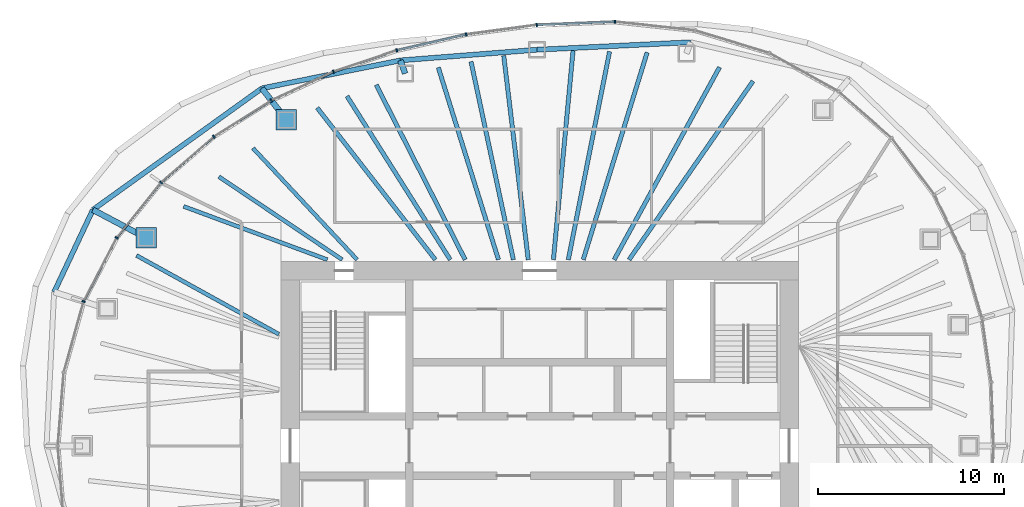
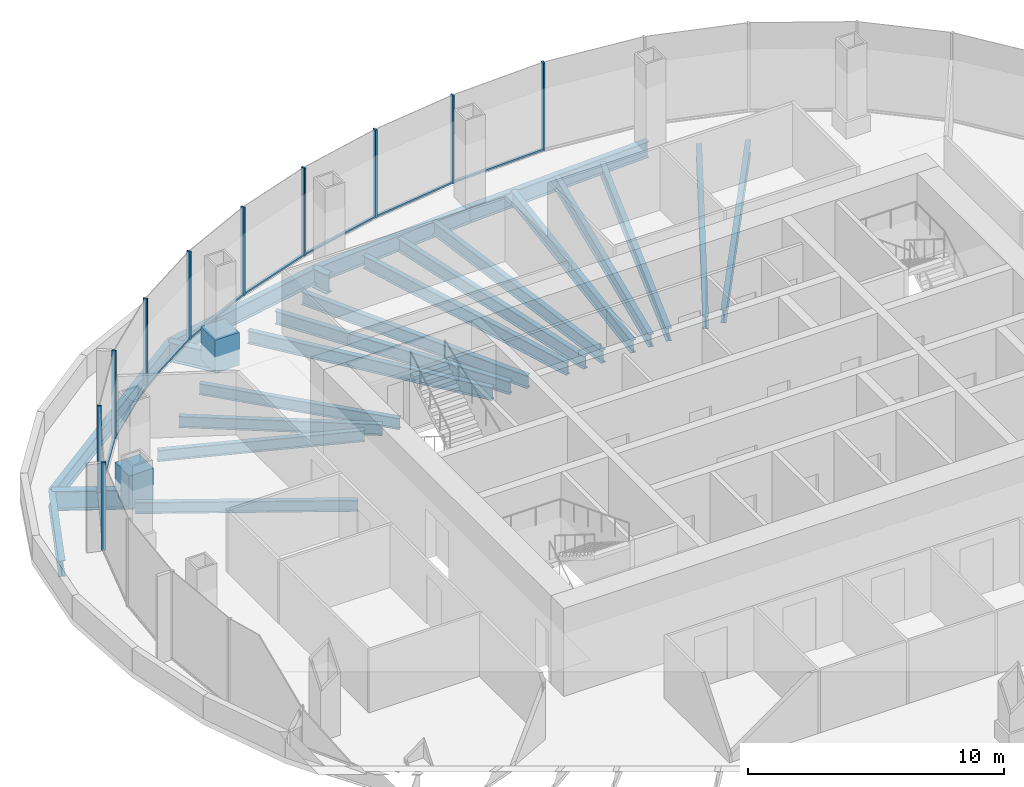
# One storey, part 6 of 13: 23 beams, 21 members, 6 elements without a shape of their own.
"""IFC4 building model written with IfcOpenShell, lengths in metres."""

from ifc_helpers import new_model, si_unit, direction, frame, origin, origin_2d, place, context, subcontext, project, spatial, rectangle, hollow_rectangle, i_section, extrude, boolean, material, material_profile, profile_set, type_object, element, aggregate, save


model = new_model("IFC4")

# Units and contexts
model_context = context("Model", 3, precision=1e-05, world=origin(), true_north=direction((0.0, 1.0)))
body_context = subcontext(model_context, "Body", "Model", "MODEL_VIEW")
ifc_project = project(units=[si_unit("LENGTHUNIT", "METRE"), si_unit("AREAUNIT", "SQUARE_METRE"), si_unit("VOLUMEUNIT", "CUBIC_METRE"), si_unit("PLANEANGLEUNIT", "RADIAN"), si_unit("MASSUNIT", "GRAM", prefix="KILO")], contexts=[model_context])

# Site, building, storey
site_placement = place(None, origin())
site = spatial("IfcSite", under=ifc_project, at=site_placement, CompositionType="ELEMENT")
building_placement = place(site_placement, origin())
building = spatial("IfcBuilding", under=site, at=building_placement, Name="Ghaith Harvest Tower", CompositionType="ELEMENT")
storey_placement = place(building_placement, frame((0.0, 0.0, 271.199951171875)))
storey = spatial("IfcBuildingStorey", under=building, at=storey_placement, Name="L60", CompositionType="ELEMENT", Elevation=271.199951171875)

# Curtain wall, member
ifc_material_1 = material(Name="Black anodised aluminium and fritted glass", Category="aluminium")
curtain_wall_type = type_object("IfcCurtainWallType", Name="CW-T CURTAIN WALL", PredefinedType="NOTDEFINED", material=ifc_material_1)
curtain_wall_1_placement = place(storey_placement, origin())
curtain_wall_1 = element("IfcCurtainWall", 1, at=curtain_wall_1_placement, inside=storey, type_object=curtain_wall_type, Name="Curtain wall CW-T bay 05 L60", PredefinedType="NOTDEFINED")
ifc_material_2 = material(Name="Aluminium, black anodised", Category="aluminium")
ifc_material_profile_1 = material_profile(ifc_material_2, rectangle(XDim=0.080078125, YDim=0.179931640625, at=origin_2d()), Name="CW-T MULLION 80x180")
ifc_profile_set_1 = profile_set([ifc_material_profile_1], Name="Aluminium, black anodised")
member_type_1 = type_object("IfcMemberType", Name="CW-T MULLION 80x180", PredefinedType="MULLION", material=ifc_profile_set_1)
member_1_placement = place(storey_placement, frame((4.037841796875, 22.776611328125, 0.0), z_axis=(0.0, 0.0, 1.0), x_axis=(-0.999388631236, 0.034962319079, 0.0)))
member_1 = element("IfcMember", 2, at=member_1_placement, type_object=member_type_1, Name="CW-T mullion 2 bay 05 L60", PredefinedType="MULLION", context=body_context, shape_type="SweptSolid", body=[
    extrude(rectangle(XDim=0.080078125, YDim=0.179931640625, at=origin_2d()), origin(), (0.0, 0.0, 1.0), 4.199951171875),
])

# Curtain wall, members
curtain_wall_2_placement = place(storey_placement, origin())
curtain_wall_2 = element("IfcCurtainWall", 3, at=curtain_wall_2_placement, inside=storey, type_object=curtain_wall_type, Name="Curtain wall CW-T bay 06 L60", PredefinedType="NOTDEFINED")
member_2_placement = place(storey_placement, frame((-0.15478515625, 22.60595703125, 0.0), z_axis=(0.0, 0.0, 1.0), x_axis=(-0.996414855482, -0.084601629853, 0.0)))
member_2 = element("IfcMember", 4, at=member_2_placement, type_object=member_type_1, Name="CW-T mullion 1 bay 06 L60", PredefinedType="MULLION", context=body_context, shape_type="SweptSolid", body=[
    extrude(rectangle(XDim=0.080078125, YDim=0.179931640625, at=origin_2d()), origin(), (0.0, 0.0, 1.0), 4.199951171875),
])
member_3_placement = place(storey_placement, frame((-3.946533203125, 22.0986328125, 0.0), z_axis=(0.0, 0.0, 1.0), x_axis=(-0.983843447681, -0.179030920389, 0.0)))
member_3 = element("IfcMember", 5, at=member_3_placement, type_object=member_type_1, Name="CW-T mullion 2 bay 06 L60", PredefinedType="MULLION", context=body_context, shape_type="SweptSolid", body=[
    extrude(rectangle(XDim=0.080078125, YDim=0.179931640625, at=origin_2d()), origin(), (0.0, 0.0, 1.0), 4.199951171875),
])

curtain_wall_3_placement = place(storey_placement, origin())
curtain_wall_3 = element("IfcCurtainWall", 6, at=curtain_wall_3_placement, inside=storey, type_object=curtain_wall_type, Name="Curtain wall CW-T bay 07 L60", PredefinedType="NOTDEFINED")
member_4_placement = place(storey_placement, frame((-7.6708984375, 21.23828125, 0.0), z_axis=(0.0, 0.0, 1.0), x_axis=(-0.962552491436, -0.27109537294, 0.0)))
member_4 = element("IfcMember", 7, at=member_4_placement, type_object=member_type_1, Name="CW-T mullion 1 bay 07 L60", PredefinedType="MULLION", context=body_context, shape_type="SweptSolid", body=[
    extrude(rectangle(XDim=0.080078125, YDim=0.179931640625, at=origin_2d()), origin(), (0.0, 0.0, 1.0), 4.199951171875),
])
member_5_placement = place(storey_placement, frame((-11.0673828125, 20.093017578125, 0.0), z_axis=(0.0, 0.0, 1.0), x_axis=(-0.928624420706, -0.371021138573, 0.0)))
member_5 = element("IfcMember", 8, at=member_5_placement, type_object=member_type_1, Name="CW-T mullion 2 bay 07 L60", PredefinedType="MULLION", context=body_context, shape_type="SweptSolid", body=[
    extrude(rectangle(XDim=0.080078125, YDim=0.179931640625, at=origin_2d()), origin(), (0.0, 0.0, 1.0), 4.199951171875),
])

curtain_wall_4_placement = place(storey_placement, origin())
curtain_wall_4 = element("IfcCurtainWall", 9, at=curtain_wall_4_placement, inside=storey, type_object=curtain_wall_type, Name="Curtain wall CW-T bay 08 L60", PredefinedType="NOTDEFINED")
member_6_placement = place(storey_placement, frame((-14.40478515625, 18.5478515625, 0.0), z_axis=(0.0, 0.0, 1.0), x_axis=(-0.87867173244, -0.477426420101, 0.0)))
member_6 = element("IfcMember", 10, at=member_6_placement, type_object=member_type_1, Name="CW-T mullion 1 bay 08 L60", PredefinedType="MULLION", context=body_context, shape_type="SweptSolid", body=[
    extrude(rectangle(XDim=0.080078125, YDim=0.179931640625, at=origin_2d()), origin(), (0.0, 0.0, 1.0), 4.199951171875),
])
member_7_placement = place(storey_placement, frame((-17.49462890625, 16.600830078125, 0.0), z_axis=(0.0, 0.0, 1.0), x_axis=(-0.802189888678, -0.597068993084, 0.0)))
member_7 = element("IfcMember", 11, at=member_7_placement, type_object=member_type_1, Name="CW-T mullion 2 bay 08 L60", PredefinedType="MULLION", context=body_context, shape_type="SweptSolid", body=[
    extrude(rectangle(XDim=0.080078125, YDim=0.179931640625, at=origin_2d()), origin(), (0.0, 0.0, 1.0), 4.199951171875),
])

curtain_wall_5_placement = place(storey_placement, origin())
curtain_wall_5 = element("IfcCurtainWall", 12, at=curtain_wall_5_placement, inside=storey, type_object=curtain_wall_type, Name="Curtain wall CW-T bay 09 L60", PredefinedType="NOTDEFINED")
member_8_placement = place(storey_placement, frame((-20.324462890625, 14.141845703125, 0.0), z_axis=(0.0, 0.0, 1.0), x_axis=(-0.692826491995, -0.72110432809, 0.0)))
member_8 = element("IfcMember", 13, at=member_8_placement, type_object=member_type_1, Name="CW-T mullion 1 bay 09 L60", PredefinedType="MULLION", context=body_context, shape_type="SweptSolid", body=[
    extrude(rectangle(XDim=0.080078125, YDim=0.179931640625, at=origin_2d()), origin(), (0.0, 0.0, 1.0), 4.199951171875),
])
member_9_placement = place(storey_placement, frame((-22.706298828125, 11.176513671875, 0.0), z_axis=(0.0, 0.0, 1.0), x_axis=(-0.545865412621, -0.837872872997, 0.0)))
member_9 = element("IfcMember", 14, at=member_9_placement, type_object=member_type_1, Name="CW-T mullion 2 bay 09 L60", PredefinedType="MULLION", context=body_context, shape_type="SweptSolid", body=[
    extrude(rectangle(XDim=0.080078125, YDim=0.179931640625, at=origin_2d()), origin(), (0.0, 0.0, 1.0), 4.199951171875),
])

# Curtain wall, member
curtain_wall_6_placement = place(storey_placement, origin())
curtain_wall_6 = element("IfcCurtainWall", 15, at=curtain_wall_6_placement, inside=storey, type_object=curtain_wall_type, Name="Curtain wall CW-T bay 10 L60", PredefinedType="NOTDEFINED")
member_10_placement = place(storey_placement, frame((-24.482666015625, 7.759033203125, 0.0), z_axis=(0.0, 0.0, 1.0), x_axis=(-0.366473104961, -0.930428644948, 0.0)))
member_10 = element("IfcMember", 16, at=member_10_placement, type_object=member_type_1, Name="CW-T mullion 1 bay 10 L60", PredefinedType="MULLION", context=body_context, shape_type="SweptSolid", body=[
    extrude(rectangle(XDim=0.080078125, YDim=0.179931640625, at=origin_2d()), origin(), (0.0, 0.0, 1.0), 4.199951171875),
])
aggregate(curtain_wall_6, [member_10])

# Member
ifc_material_3 = material(Name="Aluminium, black anodised", Category="aluminium")
ifc_material_profile_2 = material_profile(ifc_material_3, rectangle(XDim=0.1201171875, YDim=0.080078125, at=origin_2d()), Name="CW-T TRANSOM 120x80")
ifc_profile_set_2 = profile_set([ifc_material_profile_2], Name="Aluminium, black anodised")
member_type_2 = type_object("IfcMemberType", Name="CW-T TRANSOM 120x80", PredefinedType="USERDEFINED", material=ifc_profile_set_2)
member_11_placement = place(storey_placement, frame((3.997802734375, 22.77490234375, 0.0400390625), z_axis=(-0.999174207562, -0.040631304968, 0.0), x_axis=(0.040631304968, -0.999174207562, 0.0)))
member_11 = element("IfcMember", 17, at=member_11_placement, type_object=member_type_2, Name="CW-T transom 2 bay 05 L60", ObjectType="TRANSOM", PredefinedType="USERDEFINED", context=body_context, shape_type="SweptSolid", body=[
    extrude(rectangle(XDim=0.1201171875, YDim=0.080078125, at=origin_2d()), origin(), (0.0, 0.0, 1.0), 4.115966796875),
])

aggregate(curtain_wall_1, [member_1, member_11])

member_12_placement = place(storey_placement, frame((-0.1943359375, 22.6005859375, 0.0400390625), z_axis=(-0.99117202259, -0.132582131655, 0.0), x_axis=(0.132582131655, -0.99117202259, 0.0)))
member_12 = element("IfcMember", 18, at=member_12_placement, type_object=member_type_2, Name="CW-T transom 1 bay 06 L60", ObjectType="TRANSOM", PredefinedType="USERDEFINED", context=body_context, shape_type="SweptSolid", body=[
    extrude(rectangle(XDim=0.1201171875, YDim=0.080078125, at=origin_2d()), origin(), (0.0, 0.0, 1.0), 3.745361328125),
])

member_13_placement = place(storey_placement, frame((-3.9853515625, 22.089599609375, 0.0400390625), z_axis=(-0.974344997799, -0.225059603803, 0.0), x_axis=(0.225059603803, -0.974344997799, 0.0)))
member_13 = element("IfcMember", 19, at=member_13_placement, type_object=member_type_2, Name="CW-T transom 2 bay 06 L60", ObjectType="TRANSOM", PredefinedType="USERDEFINED", context=body_context, shape_type="SweptSolid", body=[
    extrude(rectangle(XDim=0.1201171875, YDim=0.080078125, at=origin_2d()), origin(), (0.0, 0.0, 1.0), 3.742431640625),
])

aggregate(curtain_wall_2, [member_2, member_12, member_3, member_13])

member_14_placement = place(storey_placement, frame((-7.708740234375, 21.2255859375, 0.0400390625), z_axis=(-0.9475698206, -0.319548799228, 0.0), x_axis=(0.319548799228, -0.9475698206, 0.0)))
member_14 = element("IfcMember", 20, at=member_14_placement, type_object=member_type_2, Name="CW-T transom 1 bay 07 L60", ObjectType="TRANSOM", PredefinedType="USERDEFINED", context=body_context, shape_type="SweptSolid", body=[
    extrude(rectangle(XDim=0.1201171875, YDim=0.080078125, at=origin_2d()), origin(), (0.0, 0.0, 1.0), 3.504638671875),
])

member_15_placement = place(storey_placement, frame((-11.103759765625, 20.076171875, 0.0400390625), z_axis=(-0.907472177056, -0.420112184862, 0.0), x_axis=(0.420112184862, -0.907472177056, 0.0)))
member_15 = element("IfcMember", 21, at=member_15_placement, type_object=member_type_2, Name="CW-T transom 2 bay 07 L60", ObjectType="TRANSOM", PredefinedType="USERDEFINED", context=body_context, shape_type="SweptSolid", body=[
    extrude(rectangle(XDim=0.1201171875, YDim=0.080078125, at=origin_2d()), origin(), (0.0, 0.0, 1.0), 3.597900390625),
])

aggregate(curtain_wall_3, [member_4, member_14, member_5, member_15])

member_16_placement = place(storey_placement, frame((-14.438720703125, 18.5263671875, 0.0400390625), z_axis=(-0.846053602505, -0.533097835006, 0.0), x_axis=(0.533097835006, -0.846053602505, 0.0)))
member_16 = element("IfcMember", 22, at=member_16_placement, type_object=member_type_2, Name="CW-T transom 1 bay 08 L60", ObjectType="TRANSOM", PredefinedType="USERDEFINED", context=body_context, shape_type="SweptSolid", body=[
    extrude(rectangle(XDim=0.1201171875, YDim=0.080078125, at=origin_2d()), origin(), (0.0, 0.0, 1.0), 3.572021484375),
])

member_17_placement = place(storey_placement, frame((-17.52490234375, 16.574462890625, 0.0400390625), z_axis=(-0.754851889287, -0.65589528527, 0.0), x_axis=(0.65589528527, -0.754851889287, 0.0)))
member_17 = element("IfcMember", 23, at=member_17_placement, type_object=member_type_2, Name="CW-T transom 2 bay 08 L60", ObjectType="TRANSOM", PredefinedType="USERDEFINED", context=body_context, shape_type="SweptSolid", body=[
    extrude(rectangle(XDim=0.1201171875, YDim=0.080078125, at=origin_2d()), origin(), (0.0, 0.0, 1.0), 3.668701171875),
])

aggregate(curtain_wall_4, [member_6, member_16, member_7, member_17])

member_18_placement = place(storey_placement, frame((-20.349365234375, 14.110595703125, 0.0400390625), z_axis=(-0.626253073761, -0.779619835307, 0.0), x_axis=(0.779619835307, -0.626253073761, 0.0)))
member_18 = element("IfcMember", 24, at=member_18_placement, type_object=member_type_2, Name="CW-T transom 1 bay 09 L60", ObjectType="TRANSOM", PredefinedType="USERDEFINED", context=body_context, shape_type="SweptSolid", body=[
    extrude(rectangle(XDim=0.1201171875, YDim=0.080078125, at=origin_2d()), origin(), (0.0, 0.0, 1.0), 3.723388671875),
])

member_19_placement = place(storey_placement, frame((-22.724609375, 11.14111328125, 0.0400390625), z_axis=(-0.461242681347, -0.887274021317, 0.0), x_axis=(0.887274021317, -0.461242681347, 0.0)))
member_19 = element("IfcMember", 25, at=member_19_placement, type_object=member_type_2, Name="CW-T transom 2 bay 09 L60", ObjectType="TRANSOM", PredefinedType="USERDEFINED", context=body_context, shape_type="SweptSolid", body=[
    extrude(rectangle(XDim=0.1201171875, YDim=0.080078125, at=origin_2d()), origin(), (0.0, 0.0, 1.0), 3.77197265625),
])

aggregate(curtain_wall_5, [member_8, member_18, member_9, member_19])

# Beams
ifc_material_4 = material(Name="Steel ASTM A992 Grade 50", Category="steel")
ifc_material_profile_3 = material_profile(ifc_material_4, i_section(OverallWidth=0.26611328125, OverallDepth=0.758056640625, WebThickness=0.013916015625, FlangeThickness=0.019287109375, at=origin_2d()), Name="W760X161")
ifc_profile_set_3 = profile_set([ifc_material_profile_3], Name="Steel ASTM A992 Grade 50")
beam_type_1 = type_object("IfcBeamType", Name="E760-161 W760X161", PredefinedType="SPANDREL", material=ifc_profile_set_3)
beam_1_placement = place(storey_placement, frame((8.10205078125, 21.672607421875, -0.654052734375), z_axis=(-0.998816523619, -0.048636942199, 0.0), x_axis=(0.048636942199, -0.998816523619, 0.0)))
element("IfcBeam", 26, at=beam_1_placement, inside=storey, type_object=beam_type_1, Name="Setback edge beam E05 L60", PredefinedType="SPANDREL", context=body_context, shape_type="SweptSolid", body=[
    extrude(i_section(OverallWidth=0.26611328125, OverallDepth=0.758056640625, WebThickness=0.013916015625, FlangeThickness=0.019287109375, at=origin_2d()), origin(), (0.0, 0.0, 1.0), 8.25732421875),
])
beam_2_placement = place(storey_placement, frame((-0.1455078125, 21.27099609375, -0.654052734375), z_axis=(-0.996971882721, -0.077762877151, 0.0), x_axis=(0.077762877151, -0.996971882721, 0.0)))
element("IfcBeam", 27, at=beam_2_placement, inside=storey, type_object=beam_type_1, Name="Setback edge beam E06 L60", PredefinedType="SPANDREL", context=body_context, shape_type="SweptSolid", body=[
    extrude(i_section(OverallWidth=0.26611328125, OverallDepth=0.758056640625, WebThickness=0.013916015625, FlangeThickness=0.019287109375, at=origin_2d()), origin(), (0.0, 0.0, 1.0), 7.352783203125),
])
beam_3_placement = place(storey_placement, frame((-7.47607421875, 20.69921875, -0.654052734375), z_axis=(-0.980269959557, -0.197663366332, 0.0), x_axis=(0.197663366332, -0.980269959557, 0.0)))
element("IfcBeam", 28, at=beam_3_placement, inside=storey, type_object=beam_type_1, Name="Setback edge beam E07 L60", PredefinedType="SPANDREL", context=body_context, shape_type="SweptSolid", body=[
    extrude(i_section(OverallWidth=0.26611328125, OverallDepth=0.758056640625, WebThickness=0.013916015625, FlangeThickness=0.019287109375, at=origin_2d()), origin(), (0.0, 0.0, 1.0), 7.5849609375),
])
beam_4_placement = place(storey_placement, frame((-14.911376953125, 19.199951171875, -0.654052734375), z_axis=(-0.812030902111, -0.58361443952, 0.0), x_axis=(0.58361443952, -0.812030902111, 0.0)))
element("IfcBeam", 29, at=beam_4_placement, inside=storey, type_object=beam_type_1, Name="Setback edge beam E08 L60", PredefinedType="SPANDREL", context=body_context, shape_type="SweptSolid", body=[
    extrude(i_section(OverallWidth=0.26611328125, OverallDepth=0.758056640625, WebThickness=0.013916015625, FlangeThickness=0.019287109375, at=origin_2d()), origin(), (0.0, 0.0, 1.0), 11.1748046875),
])
beam_5_placement = place(storey_placement, frame((-23.985595703125, 12.67822265625, -0.654052734375), z_axis=(-0.426333909929, -0.904565861198, 0.0), x_axis=(0.904565861198, -0.426333909929, 0.0)))
element("IfcBeam", 30, at=beam_5_placement, inside=storey, type_object=beam_type_1, Name="Setback edge beam E09 L60", PredefinedType="SPANDREL", context=body_context, shape_type="SweptSolid", body=[
    extrude(i_section(OverallWidth=0.26611328125, OverallDepth=0.758056640625, WebThickness=0.013916015625, FlangeThickness=0.019287109375, at=origin_2d()), origin(), (0.0, 0.0, 1.0), 4.883056640625),
])
ifc_material_5 = material(Name="Steel ASTM A992 Grade 50", Category="steel")
ifc_material_profile_4 = material_profile(ifc_material_5, i_section(OverallWidth=0.31005859375, OverallDepth=0.927001953125, WebThickness=0.019287109375, FlangeThickness=0.031982421875, at=origin_2d()), Name="W920X289")
ifc_profile_set_4 = profile_set([ifc_material_profile_4], Name="Steel ASTM A992 Grade 50")
beam_type_2 = type_object("IfcBeamType", Name="G920-289 W920X289", PredefinedType="BEAM", material=ifc_profile_set_4)
beam_6_placement = place(storey_placement, frame((-7.221923828125, 19.9970703125, -0.738525390625), z_axis=(-0.340351375823, 0.94029832552, 0.0), x_axis=(-0.94029832552, -0.340351375823, 0.0)))
element("IfcBeam", 31, at=beam_6_placement, inside=storey, type_object=beam_type_2, Name="Setback cantilever G07 L60", PredefinedType="BEAM", context=body_context, shape_type="SweptSolid", body=[
    extrude(i_section(OverallWidth=0.31005859375, OverallDepth=0.927001953125, WebThickness=0.019287109375, FlangeThickness=0.031982421875, at=origin_2d()), origin(), (0.0, 0.0, 1.0), 0.746826171875),
])
beam_7_placement = place(storey_placement, frame((-13.594970703125, 17.5048828125, -0.738525390625), z_axis=(-0.613365551734, 0.789799151649, 0.0), x_axis=(-0.789799151649, -0.613365551734, 0.0)))
element("IfcBeam", 32, at=beam_7_placement, inside=storey, type_object=beam_type_2, Name="Setback cantilever G08 L60", PredefinedType="BEAM", context=body_context, shape_type="SweptSolid", body=[
    extrude(i_section(OverallWidth=0.31005859375, OverallDepth=0.927001953125, WebThickness=0.019287109375, FlangeThickness=0.031982421875, at=origin_2d()), origin(), (0.0, 0.0, 1.0), 2.146240234375),
])
beam_8_placement = place(storey_placement, frame((-21.125, 11.166015625, -0.738525390625), z_axis=(-0.884072227796, 0.467350292649, 0.0), x_axis=(-0.467350292649, -0.884072227796, 0.0)))
element("IfcBeam", 33, at=beam_8_placement, inside=storey, type_object=beam_type_2, Name="Setback cantilever G09 L60", PredefinedType="BEAM", context=body_context, shape_type="SweptSolid", body=[
    extrude(i_section(OverallWidth=0.31005859375, OverallDepth=0.927001953125, WebThickness=0.019287109375, FlangeThickness=0.031982421875, at=origin_2d()), origin(), (0.0, 0.0, 1.0), 3.235595703125),
])
ifc_material_6 = material(Name="Steel ASTM A992 Grade 50", Category="steel")
ifc_material_profile_5 = material_profile(ifc_material_6, i_section(OverallWidth=0.2109375, OverallDepth=0.5390625, WebThickness=0.01171875, FlangeThickness=0.018798828125, at=origin_2d()), Name="W530X109")
ifc_profile_set_5 = profile_set([ifc_material_profile_5], Name="Steel ASTM A992 Grade 50")
beam_type_3 = type_object("IfcBeamType", Name="J530-109 W530X109", PredefinedType="JOIST", material=ifc_profile_set_5)
beam_9_placement = place(storey_placement, frame((-9.800048828125, 10.0, -0.439453125), z_axis=(-0.68249016383, 0.730894777841, 0.0), x_axis=(-0.730894777841, -0.68249016383, 0.0)))
element("IfcBeam", 34, at=beam_9_placement, inside=storey, type_object=beam_type_3, Name="Joist J08.1 L60", PredefinedType="JOIST", context=body_context, shape_type="SweptSolid", body=[
    extrude(i_section(OverallWidth=0.2109375, OverallDepth=0.5390625, WebThickness=0.01171875, FlangeThickness=0.018798828125, at=origin_2d()), origin(), (0.0, 0.0, 1.0), 8.196044921875),
])
beam_10_placement = place(storey_placement, frame((-10.60009765625, 10.0, -0.439453125), z_axis=(-0.829594017544, 0.55836705316, 0.0), x_axis=(-0.55836705316, -0.829594017544, 0.0)))
element("IfcBeam", 35, at=beam_10_placement, inside=storey, type_object=beam_type_3, Name="Joist J08.2 L60", PredefinedType="JOIST", context=body_context, shape_type="SweptSolid", body=[
    extrude(i_section(OverallWidth=0.2109375, OverallDepth=0.5390625, WebThickness=0.01171875, FlangeThickness=0.018798828125, at=origin_2d()), origin(), (0.0, 0.0, 1.0), 7.977783203125),
])
beam_11_placement = place(storey_placement, frame((-11.39990234375, 10.0, -0.439453125), z_axis=(-0.937594001899, 0.34773191916, 0.0), x_axis=(-0.34773191916, -0.937594001899, 0.0)))
element("IfcBeam", 36, at=beam_11_placement, inside=storey, type_object=beam_type_3, Name="Joist J08.3 L60", PredefinedType="JOIST", context=body_context, shape_type="SweptSolid", body=[
    extrude(i_section(OverallWidth=0.2109375, OverallDepth=0.5390625, WebThickness=0.01171875, FlangeThickness=0.018798828125, at=origin_2d()), origin(), (0.0, 0.0, 1.0), 8.225830078125),
])
beam_12_placement = place(storey_placement, frame((-14.0, 6.0, -0.439453125), z_axis=(-0.875125976162, 0.483895159975, 0.0), x_axis=(-0.483895159975, -0.875125976162, 0.0)))
element("IfcBeam", 37, at=beam_12_placement, inside=storey, type_object=beam_type_3, Name="Joist J09.1 L60", PredefinedType="JOIST", context=body_context, shape_type="SweptSolid", body=[
    extrude(i_section(OverallWidth=0.2109375, OverallDepth=0.5390625, WebThickness=0.01171875, FlangeThickness=0.018798828125, at=origin_2d()), origin(), (0.0, 0.0, 1.0), 8.73388671875),
])
ifc_material_7 = material(Name="Steel ASTM A992 Grade 50", Category="steel")
ifc_material_profile_6 = material_profile(ifc_material_7, i_section(OverallWidth=0.22998046875, OverallDepth=0.616943359375, WebThickness=0.01318359375, FlangeThickness=0.022216796875, at=origin_2d()), Name="W610X140")
ifc_profile_set_6 = profile_set([ifc_material_profile_6], Name="Steel ASTM A992 Grade 50")
beam_type_4 = type_object("IfcBeamType", Name="J610-140 W610X140", PredefinedType="JOIST", material=ifc_profile_set_6)
beam_13_placement = place(storey_placement, frame((4.800048828125, 10.0, -0.478515625), z_axis=(0.570225976326, 0.821487879353, 0.0), x_axis=(-0.821487879353, 0.570225976326, 0.0)))
element("IfcBeam", 38, at=beam_13_placement, inside=storey, type_object=beam_type_4, Name="Joist J04.2 L60", PredefinedType="JOIST", context=body_context, shape_type="SweptSolid", body=[
    extrude(i_section(OverallWidth=0.22998046875, OverallDepth=0.616943359375, WebThickness=0.01318359375, FlangeThickness=0.022216796875, at=origin_2d()), origin(), (0.0, 0.0, 1.0), 11.665771484375),
])
beam_14_placement = place(storey_placement, frame((4.0, 10.0, -0.478515625), z_axis=(0.480322595727, 0.877091901704, 0.0), x_axis=(-0.877091901704, 0.480322595727, 0.0)))
element("IfcBeam", 39, at=beam_14_placement, inside=storey, type_object=beam_type_4, Name="Joist J04.3 L60", PredefinedType="JOIST", context=body_context, shape_type="SweptSolid", body=[
    extrude(i_section(OverallWidth=0.22998046875, OverallDepth=0.616943359375, WebThickness=0.01318359375, FlangeThickness=0.022216796875, at=origin_2d()), origin(), (0.0, 0.0, 1.0), 11.778564453125),
])
beam_15_placement = place(storey_placement, frame((2.33837890625, 10.0, -0.478515625), z_axis=(0.294698851552, 0.955590177269, 0.0), x_axis=(-0.955590177269, 0.294698851552, 0.0)))
element("IfcBeam", 40, at=beam_15_placement, inside=storey, type_object=beam_type_4, Name="Joist J05.1 L60", PredefinedType="JOIST", context=body_context, shape_type="SweptSolid", body=[
    extrude(i_section(OverallWidth=0.22998046875, OverallDepth=0.616943359375, WebThickness=0.01318359375, FlangeThickness=0.022216796875, at=origin_2d()), origin(), (0.0, 0.0, 1.0), 11.641357421875),
])
beam_16_placement = place(storey_placement, frame((1.538330078125, 10.0, -0.478515625), z_axis=(0.194467299131, 0.980909001676, 0.0), x_axis=(-0.980909001676, 0.194467299131, 0.0)))
element("IfcBeam", 41, at=beam_16_placement, inside=storey, type_object=beam_type_4, Name="Joist J05.2 L60", PredefinedType="JOIST", context=body_context, shape_type="SweptSolid", body=[
    extrude(i_section(OverallWidth=0.22998046875, OverallDepth=0.616943359375, WebThickness=0.01318359375, FlangeThickness=0.022216796875, at=origin_2d()), origin(), (0.0, 0.0, 1.0), 11.391845703125),
])
beam_17_placement = place(storey_placement, frame((0.73828125, 10.0, -0.478515625), z_axis=(0.093607062293, 0.995609219468, 0.0), x_axis=(-0.995609219468, 0.093607062293, 0.0)))
element("IfcBeam", 42, at=beam_17_placement, inside=storey, type_object=beam_type_4, Name="Joist J05.3 L60", PredefinedType="JOIST", context=body_context, shape_type="SweptSolid", body=[
    extrude(i_section(OverallWidth=0.22998046875, OverallDepth=0.616943359375, WebThickness=0.01318359375, FlangeThickness=0.022216796875, at=origin_2d()), origin(), (0.0, 0.0, 1.0), 11.2724609375),
])
beam_18_placement = place(storey_placement, frame((-0.61181640625, 10.0, -0.478515625), z_axis=(-0.119358199903, 0.9928512578, 0.0), x_axis=(-0.9928512578, -0.119358199903, 0.0)))
element("IfcBeam", 43, at=beam_18_placement, inside=storey, type_object=beam_type_4, Name="Joist J06.1 L60", PredefinedType="JOIST", context=body_context, shape_type="SweptSolid", body=[
    extrude(i_section(OverallWidth=0.22998046875, OverallDepth=0.616943359375, WebThickness=0.01318359375, FlangeThickness=0.022216796875, at=origin_2d()), origin(), (0.0, 0.0, 1.0), 11.029052734375),
])
beam_19_placement = place(storey_placement, frame((-1.411865234375, 10.0, -0.478515625), z_axis=(-0.209026140978, 0.977910053322, 0.0), x_axis=(-0.977910053322, -0.209026140978, 0.0)))
element("IfcBeam", 44, at=beam_19_placement, inside=storey, type_object=beam_type_4, Name="Joist J06.2 L60", PredefinedType="JOIST", context=body_context, shape_type="SweptSolid", body=[
    extrude(i_section(OverallWidth=0.22998046875, OverallDepth=0.616943359375, WebThickness=0.01318359375, FlangeThickness=0.022216796875, at=origin_2d()), origin(), (0.0, 0.0, 1.0), 10.8740234375),
])
beam_20_placement = place(storey_placement, frame((-2.2119140625, 10.0, -0.478515625), z_axis=(-0.298674860327, 0.954354927587, 0.0), x_axis=(-0.954354927587, -0.298674860327, 0.0)))
element("IfcBeam", 45, at=beam_20_placement, inside=storey, type_object=beam_type_4, Name="Joist J06.3 L60", PredefinedType="JOIST", context=body_context, shape_type="SweptSolid", body=[
    extrude(i_section(OverallWidth=0.22998046875, OverallDepth=0.616943359375, WebThickness=0.01318359375, FlangeThickness=0.022216796875, at=origin_2d()), origin(), (0.0, 0.0, 1.0), 10.81103515625),
])
beam_21_placement = place(storey_placement, frame((-4.0, 10.0, -0.478515625), z_axis=(-0.453367773234, 0.89132354518, 0.0), x_axis=(-0.89132354518, -0.453367773234, 0.0)))
element("IfcBeam", 46, at=beam_21_placement, inside=storey, type_object=beam_type_4, Name="Joist J07.1 L60", PredefinedType="JOIST", context=body_context, shape_type="SweptSolid", body=[
    extrude(i_section(OverallWidth=0.22998046875, OverallDepth=0.616943359375, WebThickness=0.01318359375, FlangeThickness=0.022216796875, at=origin_2d()), origin(), (0.0, 0.0, 1.0), 10.5341796875),
])
beam_22_placement = place(storey_placement, frame((-4.800048828125, 10.0, -0.478515625), z_axis=(-0.53392131252, 0.845534169645, 0.0), x_axis=(-0.845534169645, -0.53392131252, 0.0)))
element("IfcBeam", 47, at=beam_22_placement, inside=storey, type_object=beam_type_4, Name="Joist J07.2 L60", PredefinedType="JOIST", context=body_context, shape_type="SweptSolid", body=[
    extrude(i_section(OverallWidth=0.22998046875, OverallDepth=0.616943359375, WebThickness=0.01318359375, FlangeThickness=0.022216796875, at=origin_2d()), origin(), (0.0, 0.0, 1.0), 10.38037109375),
])
beam_23_placement = place(storey_placement, frame((-5.60009765625, 10.0, -0.478515625), z_axis=(-0.614025710719, 0.789286023299, 0.0), x_axis=(-0.789286023299, -0.614025710719, 0.0)))
element("IfcBeam", 48, at=beam_23_placement, inside=storey, type_object=beam_type_4, Name="Joist J07.3 L60", PredefinedType="JOIST", context=body_context, shape_type="SweptSolid", body=[
    extrude(i_section(OverallWidth=0.22998046875, OverallDepth=0.616943359375, WebThickness=0.01318359375, FlangeThickness=0.022216796875, at=origin_2d()), origin(), (0.0, 0.0, 1.0), 10.327880859375),
])

# Members
ifc_material_8 = material(Name="Steel S460M", Category="steel")
ifc_material_profile_7 = material_profile(ifc_material_8, hollow_rectangle(XDim=1.10009765625, YDim=1.10009765625, WallThickness=0.080078125, at=origin_2d()), Name="BOX1100X1100X80")
ifc_profile_set_7 = profile_set([ifc_material_profile_7], Name="Steel S460M")
member_type_3 = type_object("IfcMemberType", Name="KN1 BOX1100X1100X80", PredefinedType="USERDEFINED", material=ifc_profile_set_7)
for number, where, z_axis, x_axis, name in (
    (49, (-13.594970703125, 17.5048828125, -0.77490234375), (0.0, 0.0, 1.0), (1.0, 0.0, 0.0), "Raked column kink node C08 head L59"),
    (50, (-21.125, 11.166015625, -0.77490234375), (0.0, 0.0, 1.0), (1.0, 0.0, 0.0), "Raked column kink node C09 head L59"),
):
    element("IfcMember", number, at=place(storey_placement, frame(where, z_axis=z_axis, x_axis=x_axis)), inside=storey, type_object=member_type_3, Name=name, ObjectType="KINK NODE", PredefinedType="USERDEFINED", context=body_context, shape_type="CSG", body=[
        boolean("UNION", extrude(hollow_rectangle(XDim=1.10009765625, YDim=1.10009765625, WallThickness=0.080078125, at=origin_2d()), origin(), (0.0, 0.0, 1.0), 1.550048828125), extrude(rectangle(XDim=1.10009765625, YDim=1.10009765625, at=origin_2d()), frame((0.0, 0.0, 1.550048828125)), (0.0, 0.0, 1.0), 0.02490234375)),
    ])

save(model, "model.ifc")
